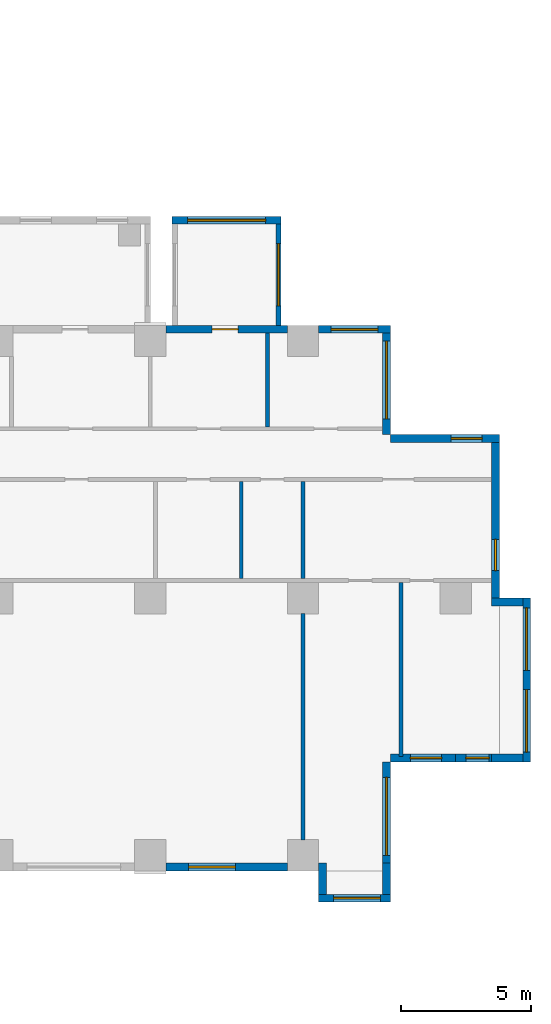
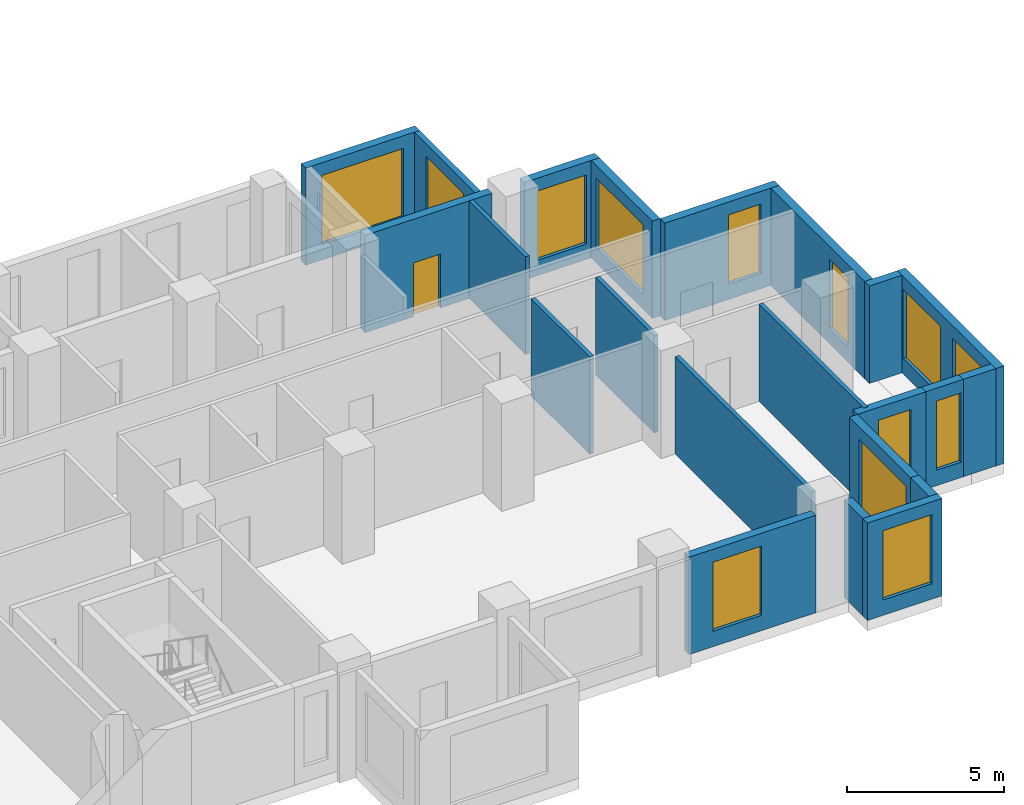
# One storey, part 9 of 15: 22 walls, 13 windows, 1 door, 14 openings.
"""IFC4 building model written with IfcOpenShell, lengths in metres."""

from ifc_helpers import new_model, si_unit, direction, frame, frame_2d, origin, place, context, subcontext, project, spatial, rectangle, extrude, source, transform, mapped, material, layer, layer_set, type_object, element, fill, save


model = new_model("IFC4")

# Units and contexts
model_context = context("Model", 3, precision=1e-05, world=origin(), true_north=direction((0.0, 1.0)))
body_context = subcontext(model_context, "Body", "Model", "MODEL_VIEW")
ifc_project = project(units=[si_unit("LENGTHUNIT", "METRE"), si_unit("AREAUNIT", "SQUARE_METRE"), si_unit("VOLUMEUNIT", "CUBIC_METRE"), si_unit("PLANEANGLEUNIT", "RADIAN"), si_unit("MASSUNIT", "GRAM", prefix="KILO")], contexts=[model_context])

# Site, building, storey
site_placement = place(None, origin())
site = spatial("IfcSite", under=ifc_project, at=site_placement, CompositionType="ELEMENT")
building_placement = place(site_placement, origin())
building = spatial("IfcBuilding", under=site, at=building_placement, Name="Aurelian Terraces", CompositionType="ELEMENT")
storey_placement = place(building_placement, frame((0.0, 0.0, 74.1)))
storey = spatial("IfcBuildingStorey", under=building, at=storey_placement, Name="L15", CompositionType="ELEMENT", Elevation=74.1)

# Wall, opening, window
ifc_material_1 = material(Name="Terracotta rainscreen cladding", Category="masonry")
ifc_layer_1 = layer(ifc_material_1, 0.3)
ifc_layer_set_1 = layer_set([ifc_layer_1], Name="EW-300")
wall_type_1 = type_object("IfcWallType", Name="EW-300", PredefinedType="STANDARD", material=ifc_layer_set_1)
shared_shape_1 = source(origin(), body_context, "Body", "SweptSolid", [
    extrude(rectangle(XDim=4.68, YDim=0.3, at=frame_2d((2.34, 0.0))), origin(), (0.0, 0.0, 1.0), 3.8),
])
wall_1_placement = place(storey_placement, frame((58.56, 0.15, 0.0), z_axis=(0.0, 0.0, 1.0), x_axis=(1.0, 0.0, 0.0)))
wall_1 = element("IfcWall", 1, at=wall_1_placement, inside=storey, type_object=wall_type_1, Name="External wall L15 F01.10", PredefinedType="STANDARD", context=body_context, shape_type="MappedRepresentation", body=[
    mapped(shared_shape_1, transform((0.0, 0.0, 0.0), scale=1.0)),
])
shared_shape_2 = source(origin(), body_context, "Body", "SweptSolid", [
    extrude(rectangle(XDim=1.8, YDim=2.7, at=frame_2d((0.9, 1.35))), frame((0.0, 0.16, 0.0), z_axis=(0.0, -1.0, 0.0), x_axis=(1.0, 0.0, 0.0)), (0.0, 0.0, 1.0), 0.32),
])
opening_1_placement = place(wall_1_placement, frame((0.8775, 0.0, 0.6)))
opening_1 = element("IfcOpeningElement", 2, at=opening_1_placement, cuts=wall_1, Name="Opening W1827", PredefinedType="OPENING", context=body_context, shape_type="MappedRepresentation", body=[
    mapped(shared_shape_2, transform((0.0, 0.0, 0.0), scale=1.0)),
])
ifc_material_2 = material(Name="Clear glazing", Category="glass")
window_type_1 = type_object("IfcWindowType", Name="W-1800x2700", PartitioningType="SINGLE_PANEL", PredefinedType="WINDOW", material=ifc_material_2)
shared_shape_3 = source(origin(), body_context, "Body", "SweptSolid", [
    extrude(rectangle(XDim=1.8, YDim=2.7, at=frame_2d((0.9, 1.35))), frame((0.0, 0.03, 0.0), z_axis=(0.0, -1.0, 0.0), x_axis=(1.0, 0.0, 0.0)), (0.0, 0.0, 1.0), 0.06),
])
window_1_placement = place(opening_1_placement, origin())
window_1 = element("IfcWindow", 3, at=window_1_placement, inside=storey, type_object=window_type_1, Name="Window L15 L15-F01-10-0", OverallHeight=2.7, OverallWidth=1.8, PartitioningType="SINGLE_PANEL", PredefinedType="WINDOW", context=body_context, shape_type="MappedRepresentation", body=[
    mapped(shared_shape_3, transform((0.0, 0.0, 0.0), scale=1.0)),
])
fill(opening_1, window_1)

# Wall, opening, door
wall_2_placement = place(storey_placement, frame((63.24, 20.85, 0.0), z_axis=(0.0, 0.0, 1.0), x_axis=(-1.0, 0.0, 0.0)))
wall_2 = element("IfcWall", 4, at=wall_2_placement, inside=storey, type_object=wall_type_1, Name="External wall L15 F07.19", PredefinedType="STANDARD", context=body_context, shape_type="MappedRepresentation", body=[
    mapped(shared_shape_1, transform((0.0, 0.0, 0.0), scale=1.0)),
])
shared_shape_4 = source(origin(), body_context, "Body", "SweptSolid", [
    extrude(rectangle(XDim=1.0, YDim=2.1, at=frame_2d((0.5, 1.05))), frame((0.0, 0.16, 0.0), z_axis=(0.0, -1.0, 0.0), x_axis=(1.0, 0.0, 0.0)), (0.0, 0.0, 1.0), 0.32),
])
opening_2_placement = place(wall_2_placement, frame((1.8983, 0.0, 0.0)))
opening_2 = element("IfcOpeningElement", 5, at=opening_2_placement, cuts=wall_2, Name="Opening 815003", PredefinedType="OPENING", context=body_context, shape_type="MappedRepresentation", body=[
    mapped(shared_shape_4, transform((0.0, 0.0, 0.0), scale=1.0)),
])
ifc_material_3 = material(Name="Timber door leaf", Category="wood")
door_type = type_object("IfcDoorType", Name="Room door 1000x2100 left", OperationType="SINGLE_SWING_LEFT", PredefinedType="DOOR", material=ifc_material_3)
shared_shape_5 = source(origin(), body_context, "Body", "SweptSolid", [
    extrude(rectangle(XDim=1.0, YDim=2.1, at=frame_2d((0.5, 1.05))), frame((0.0, 0.025, 0.0), z_axis=(0.0, -1.0, 0.0), x_axis=(1.0, 0.0, 0.0)), (0.0, 0.0, 1.0), 0.05),
])
door_placement = place(opening_2_placement, origin())
door = element("IfcDoor", 6, at=door_placement, inside=storey, type_object=door_type, Name="Door 815003", OperationType="SINGLE_SWING_LEFT", OverallHeight=2.1, OverallWidth=1.0, PredefinedType="DOOR", context=body_context, shape_type="MappedRepresentation", body=[
    mapped(shared_shape_5, transform((0.0, 0.0, 0.0), scale=1.0)),
])
fill(opening_2, door)

# Wall, opening, window
shared_shape_6 = source(origin(), body_context, "Body", "SweptSolid", [
    extrude(rectangle(XDim=4.2, YDim=0.3, at=frame_2d((2.1, 0.0))), origin(), (0.0, 0.0, 1.0), 3.8),
])
wall_3_placement = place(storey_placement, frame((67.05, 0.0, 0.0), z_axis=(0.0, 0.0, 1.0), x_axis=(0.0, 1.0, 0.0)))
wall_3 = element("IfcWall", 7, at=wall_3_placement, inside=storey, type_object=wall_type_1, Name="External wall L15 F02.12", PredefinedType="STANDARD", context=body_context, shape_type="MappedRepresentation", body=[
    mapped(shared_shape_6, transform((0.0, 0.0, 0.0), scale=1.0)),
])
shared_shape_7 = source(origin(), body_context, "Body", "SweptSolid", [
    extrude(rectangle(XDim=3.0, YDim=2.7, at=frame_2d((1.5, 1.35))), frame((0.0, 0.16, 0.0), z_axis=(0.0, -1.0, 0.0), x_axis=(1.0, 0.0, 0.0)), (0.0, 0.0, 1.0), 0.32),
])
opening_3_placement = place(wall_3_placement, frame((0.6, 0.0, 0.6)))
opening_3 = element("IfcOpeningElement", 8, at=opening_3_placement, cuts=wall_3, Name="Opening W3027", PredefinedType="OPENING", context=body_context, shape_type="MappedRepresentation", body=[
    mapped(shared_shape_7, transform((0.0, 0.0, 0.0), scale=1.0)),
])
window_type_2 = type_object("IfcWindowType", Name="W-3000x2700", PartitioningType="SINGLE_PANEL", PredefinedType="WINDOW", material=ifc_material_2)
shared_shape_8 = source(origin(), body_context, "Body", "SweptSolid", [
    extrude(rectangle(XDim=3.0, YDim=2.7, at=frame_2d((1.5, 1.35))), frame((0.0, 0.03, 0.0), z_axis=(0.0, -1.0, 0.0), x_axis=(1.0, 0.0, 0.0)), (0.0, 0.0, 1.0), 0.06),
])
window_2_placement = place(opening_3_placement, origin())
window_2 = element("IfcWindow", 9, at=window_2_placement, inside=storey, type_object=window_type_2, Name="Window L15 L15-F02-12-0", OverallHeight=2.7, OverallWidth=3.0, PartitioningType="SINGLE_PANEL", PredefinedType="WINDOW", context=body_context, shape_type="MappedRepresentation", body=[
    mapped(shared_shape_8, transform((0.0, 0.0, 0.0), scale=1.0)),
])
fill(opening_3, window_2)

wall_4_placement = place(storey_placement, frame((71.4, 16.65, 0.0), z_axis=(0.0, 0.0, 1.0), x_axis=(-1.0, 0.0, 0.0)))
wall_4 = element("IfcWall", 10, at=wall_4_placement, inside=storey, type_object=wall_type_1, Name="External wall L15 F05.17", PredefinedType="STANDARD", context=body_context, shape_type="MappedRepresentation", body=[
    mapped(shared_shape_6, transform((0.0, 0.0, 0.0), scale=1.0)),
])
shared_shape_9 = source(origin(), body_context, "Body", "SweptSolid", [
    extrude(rectangle(XDim=1.2, YDim=2.7, at=frame_2d((0.6, 1.35))), frame((0.0, 0.16, 0.0), z_axis=(0.0, -1.0, 0.0), x_axis=(1.0, 0.0, 0.0)), (0.0, 0.0, 1.0), 0.32),
])
opening_4_placement = place(wall_4_placement, frame((0.66, 0.0, 0.6)))
opening_4 = element("IfcOpeningElement", 11, at=opening_4_placement, cuts=wall_4, Name="Opening W1227", PredefinedType="OPENING", context=body_context, shape_type="MappedRepresentation", body=[
    mapped(shared_shape_9, transform((0.0, 0.0, 0.0), scale=1.0)),
])
window_type_3 = type_object("IfcWindowType", Name="W-1200x2700", PartitioningType="SINGLE_PANEL", PredefinedType="WINDOW", material=ifc_material_2)
shared_shape_10 = source(origin(), body_context, "Body", "SweptSolid", [
    extrude(rectangle(XDim=1.2, YDim=2.7, at=frame_2d((0.6, 1.35))), frame((0.0, 0.03, 0.0), z_axis=(0.0, -1.0, 0.0), x_axis=(1.0, 0.0, 0.0)), (0.0, 0.0, 1.0), 0.06),
])
window_3_placement = place(opening_4_placement, origin())
window_3 = element("IfcWindow", 12, at=window_3_placement, inside=storey, type_object=window_type_3, Name="Window L15 L15-F05-17-0", OverallHeight=2.7, OverallWidth=1.2, PartitioningType="SINGLE_PANEL", PredefinedType="WINDOW", context=body_context, shape_type="MappedRepresentation", body=[
    mapped(shared_shape_10, transform((0.0, 0.0, 0.0), scale=1.0)),
])
fill(opening_4, window_3)

wall_5_placement = place(storey_placement, frame((67.05, 16.8, 0.0), z_axis=(0.0, 0.0, 1.0), x_axis=(0.0, 1.0, 0.0)))
wall_5 = element("IfcWall", 13, at=wall_5_placement, inside=storey, type_object=wall_type_1, Name="External wall L15 F06.18", PredefinedType="STANDARD", context=body_context, shape_type="MappedRepresentation", body=[
    mapped(shared_shape_6, transform((0.0, 0.0, 0.0), scale=1.0)),
])
opening_5_placement = place(wall_5_placement, frame((0.6, 0.0, 0.6)))
opening_5 = element("IfcOpeningElement", 14, at=opening_5_placement, cuts=wall_5, Name="Opening W3027", PredefinedType="OPENING", context=body_context, shape_type="MappedRepresentation", body=[
    mapped(shared_shape_7, transform((0.0, 0.0, 0.0), scale=1.0)),
])
window_4_placement = place(opening_5_placement, origin())
window_4 = element("IfcWindow", 15, at=window_4_placement, inside=storey, type_object=window_type_2, Name="Window L15 L15-F06-18-0", OverallHeight=2.7, OverallWidth=3.0, PartitioningType="SINGLE_PANEL", PredefinedType="WINDOW", context=body_context, shape_type="MappedRepresentation", body=[
    mapped(shared_shape_8, transform((0.0, 0.0, 0.0), scale=1.0)),
])
fill(opening_5, window_4)

shared_shape_11 = source(origin(), body_context, "Body", "SweptSolid", [
    extrude(rectangle(XDim=2.76, YDim=0.3, at=frame_2d((1.38, 0.0))), origin(), (0.0, 0.0, 1.0), 3.8),
])
wall_6_placement = place(storey_placement, frame((64.44, -1.05, 0.0), z_axis=(0.0, 0.0, 1.0), x_axis=(1.0, 0.0, 0.0)))
wall_6 = element("IfcWall", 16, at=wall_6_placement, inside=storey, type_object=wall_type_1, Name="Bay wall L15 F01.11", PredefinedType="STANDARD", context=body_context, shape_type="MappedRepresentation", body=[
    mapped(shared_shape_11, transform((0.0, 0.0, 0.0), scale=1.0)),
])
opening_6_placement = place(wall_6_placement, frame((0.58, 0.0, 0.6)))
opening_6 = element("IfcOpeningElement", 17, at=opening_6_placement, cuts=wall_6, Name="Opening W1827", PredefinedType="OPENING", context=body_context, shape_type="MappedRepresentation", body=[
    mapped(shared_shape_2, transform((0.0, 0.0, 0.0), scale=1.0)),
])
window_5_placement = place(opening_6_placement, origin())
window_5 = element("IfcWindow", 18, at=window_5_placement, inside=storey, type_object=window_type_1, Name="Window L15 L15-F01-11-0", OverallHeight=2.7, OverallWidth=1.8, PartitioningType="SINGLE_PANEL", PredefinedType="WINDOW", context=body_context, shape_type="MappedRepresentation", body=[
    mapped(shared_shape_3, transform((0.0, 0.0, 0.0), scale=1.0)),
])
fill(opening_6, window_5)

wall_7_placement = place(storey_placement, frame((67.2, 20.85, 0.0), z_axis=(0.0, 0.0, 1.0), x_axis=(-1.0, 0.0, 0.0)))
wall_7 = element("IfcWall", 19, at=wall_7_placement, inside=storey, type_object=wall_type_1, Name="External wall L15 F07.19", PredefinedType="STANDARD", context=body_context, shape_type="MappedRepresentation", body=[
    mapped(shared_shape_11, transform((0.0, 0.0, 0.0), scale=1.0)),
])
opening_7_placement = place(wall_7_placement, frame((0.48, 0.0, 0.6)))
opening_7 = element("IfcOpeningElement", 20, at=opening_7_placement, cuts=wall_7, Name="Opening W1827", PredefinedType="OPENING", context=body_context, shape_type="MappedRepresentation", body=[
    mapped(shared_shape_2, transform((0.0, 0.0, 0.0), scale=1.0)),
])
window_6_placement = place(opening_7_placement, origin())
window_6 = element("IfcWindow", 21, at=window_6_placement, inside=storey, type_object=window_type_1, Name="Window L15 L15-F07-19-P0", OverallHeight=2.7, OverallWidth=1.8, PartitioningType="SINGLE_PANEL", PredefinedType="WINDOW", context=body_context, shape_type="MappedRepresentation", body=[
    mapped(shared_shape_3, transform((0.0, 0.0, 0.0), scale=1.0)),
])
fill(opening_7, window_6)

# Walls
shared_shape_12 = source(origin(), body_context, "Body", "SweptSolid", [
    extrude(rectangle(XDim=1.2, YDim=0.3, at=frame_2d((0.6, 0.0))), origin(), (0.0, 0.0, 1.0), 3.8),
])
for number, where, z_axis, x_axis, name in (
    (22, (64.59, 0.3, 0.0), (0.0, 0.0, 1.0), (0.0, -1.0, 0.0), "Bay return L15 F01.11.1"),
    (23, (67.05, 0.3, 0.0), (0.0, 0.0, 1.0), (0.0, -1.0, 0.0), "Bay return L15 F01.11.2"),
    (24, (71.1, 4.35, 0.0), (0.0, 0.0, 1.0), (1.0, 0.0, 0.0), "Bay return L15 F04.15.1"),
    (25, (71.1, 10.35, 0.0), (0.0, 0.0, 1.0), (1.0, 0.0, 0.0), "Bay return L15 F04.15.2"),
):
    element("IfcWall", number, at=place(storey_placement, frame(where, z_axis=z_axis, x_axis=x_axis)), inside=storey, type_object=wall_type_1, Name=name, PredefinedType="STANDARD", context=body_context, shape_type="MappedRepresentation", body=[
        mapped(shared_shape_12, transform((0.0, 0.0, 0.0), scale=1.0)),
    ])

# Wall, opening, window
shared_shape_13 = source(origin(), body_context, "Body", "SweptSolid", [
    extrude(rectangle(XDim=2.52, YDim=0.3, at=frame_2d((1.26, 0.0))), origin(), (0.0, 0.0, 1.0), 3.8),
])
wall_8_placement = place(storey_placement, frame((67.2, 4.35, 0.0), z_axis=(0.0, 0.0, 1.0), x_axis=(1.0, 0.0, 0.0)))
wall_8 = element("IfcWall", 26, at=wall_8_placement, inside=storey, type_object=wall_type_1, Name="External wall L15 F03.13", PredefinedType="STANDARD", context=body_context, shape_type="MappedRepresentation", body=[
    mapped(shared_shape_13, transform((0.0, 0.0, 0.0), scale=1.0)),
])
opening_8_placement = place(wall_8_placement, frame((0.7775, 0.0, 0.6)))
opening_8 = element("IfcOpeningElement", 27, at=opening_8_placement, cuts=wall_8, Name="Opening W1227", PredefinedType="OPENING", context=body_context, shape_type="MappedRepresentation", body=[
    mapped(shared_shape_9, transform((0.0, 0.0, 0.0), scale=1.0)),
])
window_7_placement = place(opening_8_placement, origin())
window_7 = element("IfcWindow", 28, at=window_7_placement, inside=storey, type_object=window_type_3, Name="Window L15 L15-F03-13-P0", OverallHeight=2.7, OverallWidth=1.2, PartitioningType="SINGLE_PANEL", PredefinedType="WINDOW", context=body_context, shape_type="MappedRepresentation", body=[
    mapped(shared_shape_10, transform((0.0, 0.0, 0.0), scale=1.0)),
])
fill(opening_8, window_7)

shared_shape_14 = source(origin(), body_context, "Body", "SweptSolid", [
    extrude(rectangle(XDim=1.68, YDim=0.3, at=frame_2d((0.84, 0.0))), origin(), (0.0, 0.0, 1.0), 3.8),
])
wall_9_placement = place(storey_placement, frame((69.72, 4.35, 0.0), z_axis=(0.0, 0.0, 1.0), x_axis=(1.0, 0.0, 0.0)))
wall_9 = element("IfcWall", 29, at=wall_9_placement, inside=storey, type_object=wall_type_1, Name="External wall L15 F03.14", PredefinedType="STANDARD", context=body_context, shape_type="MappedRepresentation", body=[
    mapped(shared_shape_14, transform((0.0, 0.0, 0.0), scale=1.0)),
])
shared_shape_15 = source(origin(), body_context, "Body", "SweptSolid", [
    extrude(rectangle(XDim=0.9, YDim=2.7, at=frame_2d((0.45, 1.35))), frame((0.0, 0.16, 0.0), z_axis=(0.0, -1.0, 0.0), x_axis=(1.0, 0.0, 0.0)), (0.0, 0.0, 1.0), 0.32),
])
opening_9_placement = place(wall_9_placement, frame((0.39, 0.0, 0.6)))
opening_9 = element("IfcOpeningElement", 30, at=opening_9_placement, cuts=wall_9, Name="Opening W0927", PredefinedType="OPENING", context=body_context, shape_type="MappedRepresentation", body=[
    mapped(shared_shape_15, transform((0.0, 0.0, 0.0), scale=1.0)),
])
window_type_4 = type_object("IfcWindowType", Name="W-900x2700", PartitioningType="SINGLE_PANEL", PredefinedType="WINDOW", material=ifc_material_2)
shared_shape_16 = source(origin(), body_context, "Body", "SweptSolid", [
    extrude(rectangle(XDim=0.9, YDim=2.7, at=frame_2d((0.45, 1.35))), frame((0.0, 0.03, 0.0), z_axis=(0.0, -1.0, 0.0), x_axis=(1.0, 0.0, 0.0)), (0.0, 0.0, 1.0), 0.06),
])
window_8_placement = place(opening_9_placement, origin())
window_8 = element("IfcWindow", 31, at=window_8_placement, inside=storey, type_object=window_type_4, Name="Window L15 L15-F03-14-P0", OverallHeight=2.7, OverallWidth=0.9, PartitioningType="SINGLE_PANEL", PredefinedType="WINDOW", context=body_context, shape_type="MappedRepresentation", body=[
    mapped(shared_shape_16, transform((0.0, 0.0, 0.0), scale=1.0)),
])
fill(opening_9, window_8)

# Wall, openings, windows
shared_shape_17 = source(origin(), body_context, "Body", "SweptSolid", [
    extrude(rectangle(XDim=6.3, YDim=0.3, at=frame_2d((3.15, 0.0))), origin(), (0.0, 0.0, 1.0), 3.8),
])
wall_10_placement = place(storey_placement, frame((72.45, 4.2, 0.0), z_axis=(0.0, 0.0, 1.0), x_axis=(0.0, 1.0, 0.0)))
wall_10 = element("IfcWall", 32, at=wall_10_placement, inside=storey, type_object=wall_type_1, Name="Bay wall L15 F04.15", PredefinedType="STANDARD", context=body_context, shape_type="MappedRepresentation", body=[
    mapped(shared_shape_17, transform((0.0, 0.0, 0.0), scale=1.0)),
])
shared_shape_18 = source(origin(), body_context, "Body", "SweptSolid", [
    extrude(rectangle(XDim=2.4, YDim=2.7, at=frame_2d((1.2, 1.35))), frame((0.0, 0.16, 0.0), z_axis=(0.0, -1.0, 0.0), x_axis=(1.0, 0.0, 0.0)), (0.0, 0.0, 1.0), 0.32),
])
opening_10_placement = place(wall_10_placement, frame((0.375, 0.0, 0.6)))
opening_10 = element("IfcOpeningElement", 33, at=opening_10_placement, cuts=wall_10, Name="Opening W2427", PredefinedType="OPENING", context=body_context, shape_type="MappedRepresentation", body=[
    mapped(shared_shape_18, transform((0.0, 0.0, 0.0), scale=1.0)),
])
opening_11_placement = place(wall_10_placement, frame((3.525, 0.0, 0.6)))
opening_11 = element("IfcOpeningElement", 34, at=opening_11_placement, cuts=wall_10, Name="Opening W2427", PredefinedType="OPENING", context=body_context, shape_type="MappedRepresentation", body=[
    mapped(shared_shape_18, transform((0.0, 0.0, 0.0), scale=1.0)),
])
window_type_5 = type_object("IfcWindowType", Name="W-2400x2700", PartitioningType="SINGLE_PANEL", PredefinedType="WINDOW", material=ifc_material_2)
shared_shape_19 = source(origin(), body_context, "Body", "SweptSolid", [
    extrude(rectangle(XDim=2.4, YDim=2.7, at=frame_2d((1.2, 1.35))), frame((0.0, 0.03, 0.0), z_axis=(0.0, -1.0, 0.0), x_axis=(1.0, 0.0, 0.0)), (0.0, 0.0, 1.0), 0.06),
])
window_9_placement = place(opening_10_placement, origin())
window_9 = element("IfcWindow", 35, at=window_9_placement, inside=storey, type_object=window_type_5, Name="Window L15 L15-F04-15-0", OverallHeight=2.7, OverallWidth=2.4, PartitioningType="SINGLE_PANEL", PredefinedType="WINDOW", context=body_context, shape_type="MappedRepresentation", body=[
    mapped(shared_shape_19, transform((0.0, 0.0, 0.0), scale=1.0)),
])
fill(opening_10, window_9)
window_10_placement = place(opening_11_placement, origin())
window_10 = element("IfcWindow", 36, at=window_10_placement, inside=storey, type_object=window_type_5, Name="Window L15 L15-F04-15-1", OverallHeight=2.7, OverallWidth=2.4, PartitioningType="SINGLE_PANEL", PredefinedType="WINDOW", context=body_context, shape_type="MappedRepresentation", body=[
    mapped(shared_shape_19, transform((0.0, 0.0, 0.0), scale=1.0)),
])
fill(opening_11, window_10)

# Wall, opening, window
wall_11_placement = place(storey_placement, frame((71.25, 10.5, 0.0), z_axis=(0.0, 0.0, 1.0), x_axis=(0.0, 1.0, 0.0)))
wall_11 = element("IfcWall", 37, at=wall_11_placement, inside=storey, type_object=wall_type_1, Name="External wall L15 F04.16", PredefinedType="STANDARD", context=body_context, shape_type="MappedRepresentation", body=[
    mapped(shared_shape_17, transform((0.0, 0.0, 0.0), scale=1.0)),
])
opening_12_placement = place(wall_11_placement, frame((1.0625, 0.0, 0.6)))
opening_12 = element("IfcOpeningElement", 38, at=opening_12_placement, cuts=wall_11, Name="Opening W1227", PredefinedType="OPENING", context=body_context, shape_type="MappedRepresentation", body=[
    mapped(shared_shape_9, transform((0.0, 0.0, 0.0), scale=1.0)),
])
window_11_placement = place(opening_12_placement, origin())
window_11 = element("IfcWindow", 39, at=window_11_placement, inside=storey, type_object=window_type_3, Name="Window L15 L15-F04-16-0", OverallHeight=2.7, OverallWidth=1.2, PartitioningType="SINGLE_PANEL", PredefinedType="WINDOW", context=body_context, shape_type="MappedRepresentation", body=[
    mapped(shared_shape_10, transform((0.0, 0.0, 0.0), scale=1.0)),
])
fill(opening_12, window_11)

ifc_material_4 = material(Name="Concrete fc' 40 MPa", Category="concrete")
ifc_layer_2 = layer(ifc_material_4, 0.2)
ifc_layer_set_2 = layer_set([ifc_layer_2], Name="BOX BEARING WALL 200")
wall_type_2 = type_object("IfcWallType", Name="BOX BEARING WALL 200", PredefinedType="SOLIDWALL", material=ifc_layer_set_2)
shared_shape_20 = source(origin(), body_context, "Body", "SweptSolid", [
    extrude(rectangle(XDim=3.9, YDim=0.2, at=frame_2d((1.95, 0.0))), origin(), (0.0, 0.0, 1.0), 3.79),
])
wall_12_placement = place(storey_placement, frame((62.9, 21.0, 0.0), z_axis=(0.0, 0.0, 1.0), x_axis=(0.0, 1.0, 0.0)))
wall_12 = element("IfcWall", 40, at=wall_12_placement, inside=storey, type_object=wall_type_2, Name="Box return L15 J17.1", PredefinedType="SOLIDWALL", context=body_context, shape_type="MappedRepresentation", body=[
    mapped(shared_shape_20, transform((0.0, 0.0, 0.0), scale=1.0)),
])
shared_shape_21 = source(origin(), body_context, "Body", "SweptSolid", [
    extrude(rectangle(XDim=2.4, YDim=2.7, at=frame_2d((1.2, 1.35))), frame((0.0, 0.11, 0.0), z_axis=(0.0, -1.0, 0.0), x_axis=(1.0, 0.0, 0.0)), (0.0, 0.0, 1.0), 0.22),
])
opening_13_placement = place(wall_12_placement, frame((0.75, 0.0, 0.6)))
opening_13 = element("IfcOpeningElement", 41, at=opening_13_placement, cuts=wall_12, Name="Opening W2427", PredefinedType="OPENING", context=body_context, shape_type="MappedRepresentation", body=[
    mapped(shared_shape_21, transform((0.0, 0.0, 0.0), scale=1.0)),
])
window_12_placement = place(opening_13_placement, origin())
window_12 = element("IfcWindow", 42, at=window_12_placement, inside=storey, type_object=window_type_5, Name="Window L15 J17-S1", OverallHeight=2.7, OverallWidth=2.4, PartitioningType="SINGLE_PANEL", PredefinedType="WINDOW", context=body_context, shape_type="MappedRepresentation", body=[
    mapped(shared_shape_19, transform((0.0, 0.0, 0.0), scale=1.0)),
])
fill(opening_13, window_12)

ifc_layer_3 = layer(ifc_material_4, 0.3)
ifc_layer_set_3 = layer_set([ifc_layer_3], Name="BOX BEARING WALL 300")
wall_type_3 = type_object("IfcWallType", Name="BOX BEARING WALL 300", PredefinedType="SOLIDWALL", material=ifc_layer_set_3)
shared_shape_22 = source(origin(), body_context, "Body", "SweptSolid", [
    extrude(rectangle(XDim=4.2, YDim=0.3, at=frame_2d((2.1, 0.0))), origin(), (0.0, 0.0, 1.0), 3.79),
])
wall_13_placement = place(storey_placement, frame((63.0, 25.05, 0.0), z_axis=(0.0, 0.0, 1.0), x_axis=(-1.0, 0.0, 0.0)))
wall_13 = element("IfcWall", 43, at=wall_13_placement, inside=storey, type_object=wall_type_3, Name="Box wall L15 J17", PredefinedType="SOLIDWALL", context=body_context, shape_type="MappedRepresentation", body=[
    mapped(shared_shape_22, transform((0.0, 0.0, 0.0), scale=1.0)),
])
opening_14_placement = place(wall_13_placement, frame((0.6, 0.0, 0.6)))
opening_14 = element("IfcOpeningElement", 44, at=opening_14_placement, cuts=wall_13, Name="Opening W3027", PredefinedType="OPENING", context=body_context, shape_type="MappedRepresentation", body=[
    mapped(shared_shape_7, transform((0.0, 0.0, 0.0), scale=1.0)),
])
window_13_placement = place(opening_14_placement, origin())
window_13 = element("IfcWindow", 45, at=window_13_placement, inside=storey, type_object=window_type_2, Name="Window L15 J17-F1", OverallHeight=2.7, OverallWidth=3.0, PartitioningType="SINGLE_PANEL", PredefinedType="WINDOW", context=body_context, shape_type="MappedRepresentation", body=[
    mapped(shared_shape_8, transform((0.0, 0.0, 0.0), scale=1.0)),
])
fill(opening_14, window_13)

# Walls
ifc_material_5 = material(Name="Gypsum board on steel studs", Category="steel")
ifc_layer_4 = layer(ifc_material_5, 0.15)
ifc_layer_set_4 = layer_set([ifc_layer_4], Name="Partition 150")
wall_type_4 = type_object("IfcWallType", Name="Partition 150", PredefinedType="PARTITIONING", material=ifc_layer_set_4)
shared_shape_23 = source(origin(), body_context, "Body", "SweptSolid", [
    extrude(rectangle(XDim=3.75, YDim=0.15, at=frame_2d((1.875, 0.0))), origin(), (0.0, 0.0, 1.0), 3.8),
])
for number, where, z_axis, x_axis, name in (
    (46, (61.4619, 11.25, 0.0), (0.0, 0.0, 1.0), (0.0, 1.0, 0.0), "Partition"),
    (47, (63.84, 11.25, 0.0), (0.0, 0.0, 1.0), (0.0, 1.0, 0.0), "Partition"),
):
    element("IfcWall", number, at=place(storey_placement, frame(where, z_axis=z_axis, x_axis=x_axis)), inside=storey, type_object=wall_type_4, Name=name, PredefinedType="PARTITIONING", context=body_context, shape_type="MappedRepresentation", body=[
        mapped(shared_shape_23, transform((0.0, 0.0, 0.0), scale=1.0)),
    ])
shared_shape_24 = source(origin(), body_context, "Body", "SweptSolid", [
    extrude(rectangle(XDim=8.702, YDim=0.15, at=frame_2d((4.351, 0.0))), origin(), (0.0, 0.0, 1.0), 3.8),
])
wall_14_placement = place(storey_placement, frame((63.84, 1.199, 0.0), z_axis=(0.0, 0.0, 1.0), x_axis=(0.0, 1.0, 0.0)))
element("IfcWall", 48, at=wall_14_placement, inside=storey, type_object=wall_type_4, Name="Partition", PredefinedType="PARTITIONING", context=body_context, shape_type="MappedRepresentation", body=[
    mapped(shared_shape_24, transform((0.0, 0.0, 0.0), scale=1.0)),
])
shared_shape_25 = source(origin(), body_context, "Body", "SweptSolid", [
    extrude(rectangle(XDim=3.6, YDim=0.15, at=frame_2d((1.8, 0.0))), origin(), (0.0, 0.0, 1.0), 3.8),
])
wall_15_placement = place(storey_placement, frame((62.4675, 20.7, 0.0), z_axis=(0.0, 0.0, 1.0), x_axis=(0.0, -1.0, 0.0)))
element("IfcWall", 49, at=wall_15_placement, inside=storey, type_object=wall_type_4, Name="Partition", PredefinedType="PARTITIONING", context=body_context, shape_type="MappedRepresentation", body=[
    mapped(shared_shape_25, transform((0.0, 0.0, 0.0), scale=1.0)),
])
shared_shape_26 = source(origin(), body_context, "Body", "SweptSolid", [
    extrude(rectangle(XDim=6.695, YDim=0.15, at=frame_2d((3.3475, 0.0))), origin(), (0.0, 0.0, 1.0), 3.8),
])
wall_16_placement = place(storey_placement, frame((67.62, 4.405, 0.0), z_axis=(0.0, 0.0, 1.0), x_axis=(0.0, 1.0, 0.0)))
element("IfcWall", 50, at=wall_16_placement, inside=storey, type_object=wall_type_4, Name="Partition", PredefinedType="PARTITIONING", context=body_context, shape_type="MappedRepresentation", body=[
    mapped(shared_shape_26, transform((0.0, 0.0, 0.0), scale=1.0)),
])

save(model, "model.ifc")
